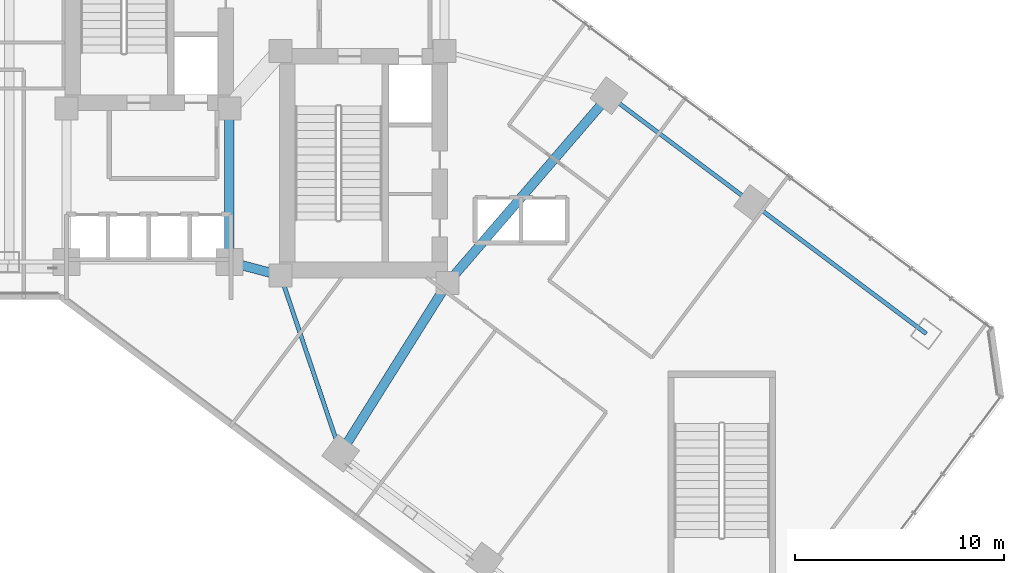
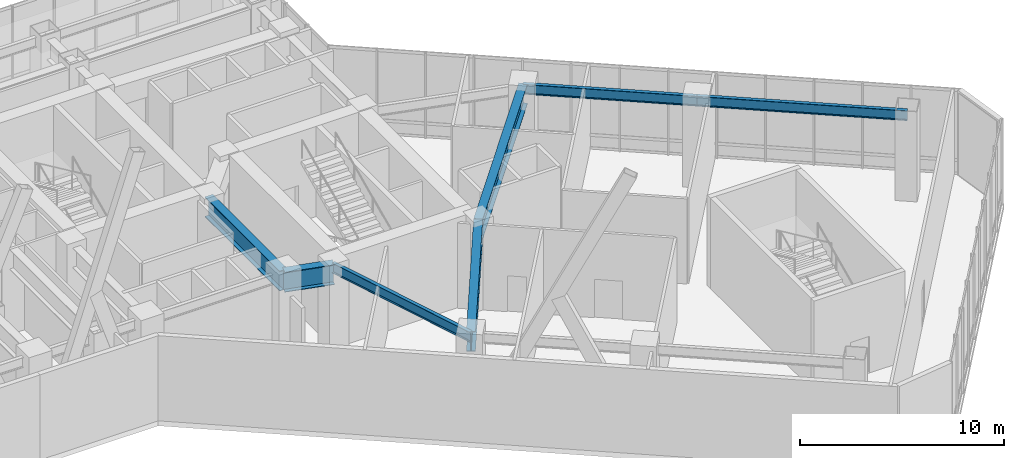
# One storey, part 6 of 35: 7 beams.
"""IFC4 building model written with IfcOpenShell, lengths in metres."""

from ifc_helpers import new_model, si_unit, direction, frame, origin, origin_2d, place, context, subcontext, project, spatial, i_section, extrude, material, material_profile, profile_set, type_object, element, save


model = new_model("IFC4")

# Units and contexts
model_context = context("Model", 3, precision=1e-05, world=origin(), true_north=direction((0.0, 1.0)))
body_context = subcontext(model_context, "Body", "Model", "MODEL_VIEW")
ifc_project = project(units=[si_unit("LENGTHUNIT", "METRE"), si_unit("AREAUNIT", "SQUARE_METRE"), si_unit("VOLUMEUNIT", "CUBIC_METRE"), si_unit("PLANEANGLEUNIT", "RADIAN"), si_unit("MASSUNIT", "GRAM", prefix="KILO")], contexts=[model_context])

# Site, building, storey
site_placement = place(None, origin())
site = spatial("IfcSite", under=ifc_project, at=site_placement, CompositionType="ELEMENT")
building_placement = place(site_placement, origin())
building = spatial("IfcBuilding", under=site, at=building_placement, Name="Hatsunagi Terrace Concourse", CompositionType="ELEMENT")
storey_placement = place(building_placement, frame((0.0, 0.0, 5.39990234375)))
storey = spatial("IfcBuildingStorey", under=building, at=storey_placement, Name="L02", CompositionType="ELEMENT", Elevation=5.39990234375)

# Beams
ifc_material_1 = material(Name="Steel SN490B", Category="steel")
ifc_material_profile_1 = material_profile(ifc_material_1, i_section(OverallWidth=0.199951171875, OverallDepth=0.60009765625, WebThickness=0.010986328125, FlangeThickness=0.01708984375, FilletRadius=0.01806640625, at=origin_2d()), Name="H-600x200x11x17")
ifc_profile_set_1 = profile_set([ifc_material_profile_1], Name="Steel SN490B")
beam_type_1 = type_object("IfcBeamType", Name="PerimeterSpandrel_H_600x200", PredefinedType="SPANDREL", material=ifc_profile_set_1)
beam_1_placement = place(storey_placement, frame((35.800048828125, 24.550048828125, 4.800048828125), z_axis=(0.320553412271, -0.947230441805, 0.0), x_axis=(0.947230441805, 0.320553412271, 0.0)))
element("IfcBeam", 1, at=beam_1_placement, inside=storey, type_object=beam_type_1, Name="Beam SP-01 BM-L02-SE-SW0", PredefinedType="SPANDREL", context=body_context, shape_type="SweptSolid", body=[
    extrude(i_section(OverallWidth=0.199951171875, OverallDepth=0.60009765625, WebThickness=0.010986328125, FlangeThickness=0.01708984375, FilletRadius=0.01806640625, at=origin_2d()), origin(), (0.0, 0.0, 1.0), 8.984130859375),
])
beam_2_placement = place(storey_placement, frame((51.52001953125, 33.159912109375, 4.800048828125), z_axis=(0.8, -0.6, 0.0), x_axis=(0.6, 0.8, 0.0)))
element("IfcBeam", 2, at=beam_2_placement, inside=storey, type_object=beam_type_1, Name="Beam SP-01 BM-L02-SE-NE2", PredefinedType="SPANDREL", context=body_context, shape_type="SweptSolid", body=[
    extrude(i_section(OverallWidth=0.199951171875, OverallDepth=0.60009765625, WebThickness=0.010986328125, FlangeThickness=0.01708984375, FilletRadius=0.01806640625, at=origin_2d()), origin(), (0.0, 0.0, 1.0), 8.599853515625),
])
beam_3_placement = place(storey_placement, frame((58.39990234375, 28.0, 4.800048828125), z_axis=(0.800002816985, -0.599996244001, 0.0), x_axis=(0.599996244001, 0.800002816985, 0.0)))
element("IfcBeam", 3, at=beam_3_placement, inside=storey, type_object=beam_type_1, Name="Beam SP-01 BM-L02-SE-NE3", PredefinedType="SPANDREL", context=body_context, shape_type="SweptSolid", body=[
    extrude(i_section(OverallWidth=0.199951171875, OverallDepth=0.60009765625, WebThickness=0.010986328125, FlangeThickness=0.01708984375, FilletRadius=0.01806640625, at=origin_2d()), origin(), (0.0, 0.0, 1.0), 10.400146484375),
])
ifc_material_2 = material(Name="Steel SN490B", Category="steel")
ifc_material_profile_2 = material_profile(ifc_material_2, i_section(OverallWidth=0.449951171875, OverallDepth=1.199951171875, WebThickness=0.02490234375, FlangeThickness=0.035888671875, at=origin_2d()), Name="BH-1200x450x25x36")
ifc_profile_set_2 = profile_set([ifc_material_profile_2], Name="Steel SN490B")
beam_type_2 = type_object("IfcBeamType", Name="PodiumHallGirder_BH_1200x450x25x36", PredefinedType="BEAM", material=ifc_profile_set_2)
beam_4_placement = place(storey_placement, frame((33.35009765625, 25.199951171875, 4.5), z_axis=(0.0, 1.0, 0.0), x_axis=(-1.0, 0.0, 0.0)))
element("IfcBeam", 4, at=beam_4_placement, inside=storey, type_object=beam_type_2, Name="Beam G-01 BM-L02-K2CA", PredefinedType="BEAM", context=body_context, shape_type="SweptSolid", body=[
    extrude(i_section(OverallWidth=0.449951171875, OverallDepth=1.199951171875, WebThickness=0.02490234375, FlangeThickness=0.035888671875, at=origin_2d()), origin(), (0.0, 0.0, 1.0), 7.35009765625),
])
beam_5_placement = place(storey_placement, frame((33.35009765625, 25.199951171875, 4.5), z_axis=(0.966569840116, -0.256403479262, 0.0), x_axis=(0.256403479262, 0.966569840116, 0.0)))
element("IfcBeam", 5, at=beam_5_placement, inside=storey, type_object=beam_type_2, Name="Beam G-01 BM-L02-K2CB", PredefinedType="BEAM", context=body_context, shape_type="SweptSolid", body=[
    extrude(i_section(OverallWidth=0.449951171875, OverallDepth=1.199951171875, WebThickness=0.02490234375, FlangeThickness=0.035888671875, at=origin_2d()), origin(), (0.0, 0.0, 1.0), 2.53466796875),
])
beam_6_placement = place(storey_placement, frame((38.679931640625, 16.0400390625, 4.5), z_axis=(0.531503907049, 0.847055840421, 0.0), x_axis=(-0.847055840421, 0.531503907049, 0.0)))
element("IfcBeam", 6, at=beam_6_placement, inside=storey, type_object=beam_type_2, Name="Beam G-01 BM-L02-SET-1A", PredefinedType="BEAM", context=body_context, shape_type="SweptSolid", body=[
    extrude(i_section(OverallWidth=0.449951171875, OverallDepth=1.199951171875, WebThickness=0.02490234375, FlangeThickness=0.035888671875, at=origin_2d()), origin(), (0.0, 0.0, 1.0), 9.63330078125),
])
beam_7_placement = place(storey_placement, frame((43.800048828125, 24.199951171875, 4.5), z_axis=(0.652739101421, 0.757582777969, 0.0), x_axis=(-0.757582777969, 0.652739101421, 0.0)))
element("IfcBeam", 7, at=beam_7_placement, inside=storey, type_object=beam_type_2, Name="Beam G-01 BM-L02-SET-1B", PredefinedType="BEAM", context=body_context, shape_type="SweptSolid", body=[
    extrude(i_section(OverallWidth=0.449951171875, OverallDepth=1.199951171875, WebThickness=0.02490234375, FlangeThickness=0.035888671875, at=origin_2d()), origin(), (0.0, 0.0, 1.0), 11.8271484375),
])

save(model, "model.ifc")
